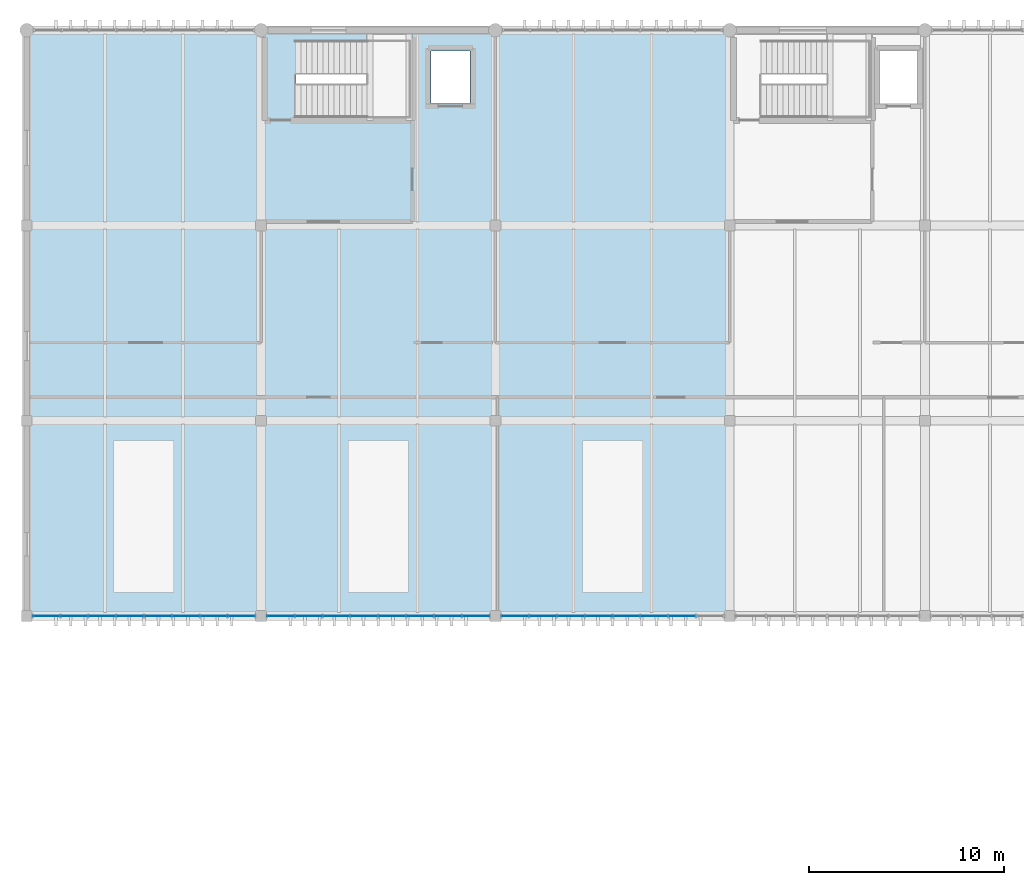
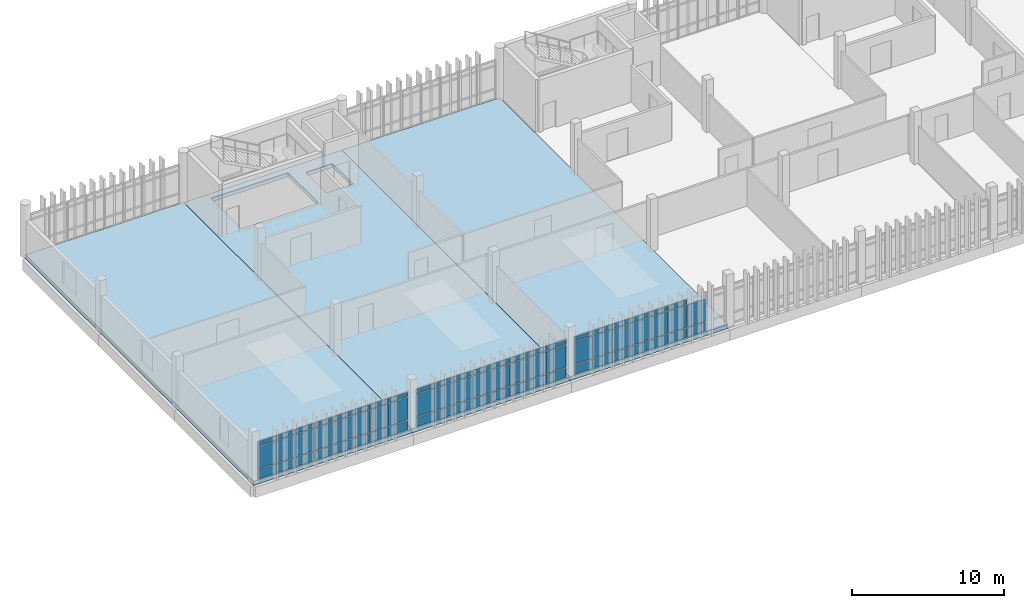
# One storey, part 22 of 29: 68 plates, 3 slabs, 3 elements without a shape of their own.
"""IFC4 building model written with IfcOpenShell, lengths in metres."""

from ifc_helpers import new_model, si_unit, direction, frame, origin, origin_2d, place, context, subcontext, project, spatial, polyline, rectangle, outline, extrude, material, layer, layer_set, type_object, element, aggregate, save


model = new_model("IFC4")

# Units and contexts
model_context = context("Model", 3, precision=1e-05, world=origin(), true_north=direction((0.0, 1.0)))
body_context = subcontext(model_context, "Body", "Model", "MODEL_VIEW")
ifc_project = project(units=[si_unit("LENGTHUNIT", "METRE"), si_unit("AREAUNIT", "SQUARE_METRE"), si_unit("VOLUMEUNIT", "CUBIC_METRE"), si_unit("PLANEANGLEUNIT", "RADIAN"), si_unit("MASSUNIT", "GRAM", prefix="KILO")], contexts=[model_context])

# Site, building, storey
site_placement = place(None, origin())
site = spatial("IfcSite", under=ifc_project, at=site_placement, CompositionType="ELEMENT")
building_placement = place(site_placement, origin())
building = spatial("IfcBuilding", under=site, at=building_placement, Name="Mersad Railyard Sports Hall", CompositionType="ELEMENT")
storey_placement = place(building_placement, frame((0.0, 0.0, 17.39990234375)))
storey = spatial("IfcBuildingStorey", under=building, at=storey_placement, Name="L04", CompositionType="ELEMENT", Elevation=17.39990234375)

# Curtain wall, plates
ifc_material_1 = material(Name="Aluminium 6063-T6", Category="aluminium")
ifc_layer_1 = layer(ifc_material_1, 0.159912109375)
ifc_layer_set_1 = layer_set([ifc_layer_1], Name="Aluminium 6063-T6")
curtain_wall_type = type_object("IfcCurtainWallType", Name="ARC-CW-CW64", PredefinedType="USERDEFINED", material=ifc_layer_set_1)
curtain_wall_1_placement = place(storey_placement, origin())
curtain_wall_1 = element("IfcCurtainWall", 1, at=curtain_wall_1_placement, inside=storey, type_object=curtain_wall_type, Name="Curtain wall CW64-0165", ObjectType="CURTAIN WALL", PredefinedType="USERDEFINED")
ifc_material_2 = material(Name="Solar-control glass", Category="glass")
ifc_layer_2 = layer(ifc_material_2, 0.028076171875)
ifc_layer_set_2 = layer_set([ifc_layer_2], Name="Solar-control glass")
plate_type = type_object("IfcPlateType", Name="ARC-CW-PNL01", PredefinedType="CURTAIN_PANEL", material=ifc_layer_set_2)
plate_1_placement = place(storey_placement, frame((65.991943359375, 85.0, 0.0849609375), z_axis=(0.0, 0.0, 1.0), x_axis=(-1.0, 0.0, 0.0)))
plate_1 = element("IfcPlate", 2, at=plate_1_placement, type_object=plate_type, Name="CW64 Glazed panel 1-1", PredefinedType="CURTAIN_PANEL", context=body_context, shape_type="SweptSolid", body=[
    extrude(rectangle(XDim=1.38232421875, YDim=0.028076171875, at=origin_2d()), origin(), (0.0, 0.0, 1.0), 0.719970703125),
])
plate_2_placement = place(storey_placement, frame((65.991943359375, 85.0, 0.89501953125), z_axis=(0.0, 0.0, 1.0), x_axis=(-1.0, 0.0, 0.0)))
plate_2 = element("IfcPlate", 3, at=plate_2_placement, type_object=plate_type, Name="CW64 Glazed panel 1-2", PredefinedType="CURTAIN_PANEL", context=body_context, shape_type="SweptSolid", body=[
    extrude(rectangle(XDim=1.38232421875, YDim=0.028076171875, at=origin_2d()), origin(), (0.0, 0.0, 1.0), 1.760009765625),
])
plate_3_placement = place(storey_placement, frame((65.991943359375, 85.0, 2.7451171875), z_axis=(0.0, 0.0, 1.0), x_axis=(-1.0, 0.0, 0.0)))
plate_3 = element("IfcPlate", 4, at=plate_3_placement, type_object=plate_type, Name="CW64 Glazed panel 1-3", PredefinedType="CURTAIN_PANEL", context=body_context, shape_type="SweptSolid", body=[
    extrude(rectangle(XDim=1.38232421875, YDim=0.028076171875, at=origin_2d()), origin(), (0.0, 0.0, 1.0), 0.35009765625),
])
plate_4_placement = place(storey_placement, frame((64.565673828125, 85.0, 0.0849609375), z_axis=(0.0, 0.0, 1.0), x_axis=(-1.0, 0.0, 0.0)))
plate_4 = element("IfcPlate", 5, at=plate_4_placement, type_object=plate_type, Name="CW64 Glazed panel 2-1", PredefinedType="CURTAIN_PANEL", context=body_context, shape_type="SweptSolid", body=[
    extrude(rectangle(XDim=1.38232421875, YDim=0.028076171875, at=origin_2d()), origin(), (0.0, 0.0, 1.0), 0.719970703125),
])
plate_5_placement = place(storey_placement, frame((64.565673828125, 85.0, 0.89501953125), z_axis=(0.0, 0.0, 1.0), x_axis=(-1.0, 0.0, 0.0)))
plate_5 = element("IfcPlate", 6, at=plate_5_placement, type_object=plate_type, Name="CW64 Glazed panel 2-2", PredefinedType="CURTAIN_PANEL", context=body_context, shape_type="SweptSolid", body=[
    extrude(rectangle(XDim=1.38232421875, YDim=0.028076171875, at=origin_2d()), origin(), (0.0, 0.0, 1.0), 1.760009765625),
])
plate_6_placement = place(storey_placement, frame((64.565673828125, 85.0, 2.7451171875), z_axis=(0.0, 0.0, 1.0), x_axis=(-1.0, 0.0, 0.0)))
plate_6 = element("IfcPlate", 7, at=plate_6_placement, type_object=plate_type, Name="CW64 Glazed panel 2-3", PredefinedType="CURTAIN_PANEL", context=body_context, shape_type="SweptSolid", body=[
    extrude(rectangle(XDim=1.38232421875, YDim=0.028076171875, at=origin_2d()), origin(), (0.0, 0.0, 1.0), 0.35009765625),
])
plate_7_placement = place(storey_placement, frame((63.139404296875, 85.0, 0.0849609375), z_axis=(0.0, 0.0, 1.0), x_axis=(-1.0, 0.0, 0.0)))
plate_7 = element("IfcPlate", 8, at=plate_7_placement, type_object=plate_type, Name="CW64 Glazed panel 3-1", PredefinedType="CURTAIN_PANEL", context=body_context, shape_type="SweptSolid", body=[
    extrude(rectangle(XDim=1.38232421875, YDim=0.028076171875, at=origin_2d()), origin(), (0.0, 0.0, 1.0), 0.719970703125),
])
plate_8_placement = place(storey_placement, frame((63.139404296875, 85.0, 0.89501953125), z_axis=(0.0, 0.0, 1.0), x_axis=(-1.0, 0.0, 0.0)))
plate_8 = element("IfcPlate", 9, at=plate_8_placement, type_object=plate_type, Name="CW64 Glazed panel 3-2", PredefinedType="CURTAIN_PANEL", context=body_context, shape_type="SweptSolid", body=[
    extrude(rectangle(XDim=1.38232421875, YDim=0.028076171875, at=origin_2d()), origin(), (0.0, 0.0, 1.0), 1.760009765625),
])
plate_9_placement = place(storey_placement, frame((63.139404296875, 85.0, 2.7451171875), z_axis=(0.0, 0.0, 1.0), x_axis=(-1.0, 0.0, 0.0)))
plate_9 = element("IfcPlate", 10, at=plate_9_placement, type_object=plate_type, Name="CW64 Glazed panel 3-3", PredefinedType="CURTAIN_PANEL", context=body_context, shape_type="SweptSolid", body=[
    extrude(rectangle(XDim=1.38232421875, YDim=0.028076171875, at=origin_2d()), origin(), (0.0, 0.0, 1.0), 0.35009765625),
])
plate_10_placement = place(storey_placement, frame((61.713134765625, 85.0, 0.0849609375), z_axis=(0.0, 0.0, 1.0), x_axis=(-1.0, 0.0, 0.0)))
plate_10 = element("IfcPlate", 11, at=plate_10_placement, type_object=plate_type, Name="CW64 Glazed panel 4-1", PredefinedType="CURTAIN_PANEL", context=body_context, shape_type="SweptSolid", body=[
    extrude(rectangle(XDim=1.38232421875, YDim=0.028076171875, at=origin_2d()), origin(), (0.0, 0.0, 1.0), 0.719970703125),
])
plate_11_placement = place(storey_placement, frame((61.713134765625, 85.0, 0.89501953125), z_axis=(0.0, 0.0, 1.0), x_axis=(-1.0, 0.0, 0.0)))
plate_11 = element("IfcPlate", 12, at=plate_11_placement, type_object=plate_type, Name="CW64 Glazed panel 4-2", PredefinedType="CURTAIN_PANEL", context=body_context, shape_type="SweptSolid", body=[
    extrude(rectangle(XDim=1.38232421875, YDim=0.028076171875, at=origin_2d()), origin(), (0.0, 0.0, 1.0), 1.760009765625),
])
plate_12_placement = place(storey_placement, frame((61.713134765625, 85.0, 2.7451171875), z_axis=(0.0, 0.0, 1.0), x_axis=(-1.0, 0.0, 0.0)))
plate_12 = element("IfcPlate", 13, at=plate_12_placement, type_object=plate_type, Name="CW64 Glazed panel 4-3", PredefinedType="CURTAIN_PANEL", context=body_context, shape_type="SweptSolid", body=[
    extrude(rectangle(XDim=1.38232421875, YDim=0.028076171875, at=origin_2d()), origin(), (0.0, 0.0, 1.0), 0.35009765625),
])
plate_13_placement = place(storey_placement, frame((60.286865234375, 85.0, 0.0849609375), z_axis=(0.0, 0.0, 1.0), x_axis=(-1.0, 0.0, 0.0)))
plate_13 = element("IfcPlate", 14, at=plate_13_placement, type_object=plate_type, Name="CW64 Glazed panel 5-1", PredefinedType="CURTAIN_PANEL", context=body_context, shape_type="SweptSolid", body=[
    extrude(rectangle(XDim=1.38232421875, YDim=0.028076171875, at=origin_2d()), origin(), (0.0, 0.0, 1.0), 0.719970703125),
])
plate_14_placement = place(storey_placement, frame((60.286865234375, 85.0, 0.89501953125), z_axis=(0.0, 0.0, 1.0), x_axis=(-1.0, 0.0, 0.0)))
plate_14 = element("IfcPlate", 15, at=plate_14_placement, type_object=plate_type, Name="CW64 Glazed panel 5-2", PredefinedType="CURTAIN_PANEL", context=body_context, shape_type="SweptSolid", body=[
    extrude(rectangle(XDim=1.38232421875, YDim=0.028076171875, at=origin_2d()), origin(), (0.0, 0.0, 1.0), 1.760009765625),
])
plate_15_placement = place(storey_placement, frame((60.286865234375, 85.0, 2.7451171875), z_axis=(0.0, 0.0, 1.0), x_axis=(-1.0, 0.0, 0.0)))
plate_15 = element("IfcPlate", 16, at=plate_15_placement, type_object=plate_type, Name="CW64 Glazed panel 5-3", PredefinedType="CURTAIN_PANEL", context=body_context, shape_type="SweptSolid", body=[
    extrude(rectangle(XDim=1.38232421875, YDim=0.028076171875, at=origin_2d()), origin(), (0.0, 0.0, 1.0), 0.35009765625),
])
plate_16_placement = place(storey_placement, frame((58.860595703125, 85.0, 0.0849609375), z_axis=(0.0, 0.0, 1.0), x_axis=(-1.0, 0.0, 0.0)))
plate_16 = element("IfcPlate", 17, at=plate_16_placement, type_object=plate_type, Name="CW64 Glazed panel 6-1", PredefinedType="CURTAIN_PANEL", context=body_context, shape_type="SweptSolid", body=[
    extrude(rectangle(XDim=1.38232421875, YDim=0.028076171875, at=origin_2d()), origin(), (0.0, 0.0, 1.0), 0.719970703125),
])
plate_17_placement = place(storey_placement, frame((58.860595703125, 85.0, 0.89501953125), z_axis=(0.0, 0.0, 1.0), x_axis=(-1.0, 0.0, 0.0)))
plate_17 = element("IfcPlate", 18, at=plate_17_placement, type_object=plate_type, Name="CW64 Glazed panel 6-2", PredefinedType="CURTAIN_PANEL", context=body_context, shape_type="SweptSolid", body=[
    extrude(rectangle(XDim=1.38232421875, YDim=0.028076171875, at=origin_2d()), origin(), (0.0, 0.0, 1.0), 1.760009765625),
])
plate_18_placement = place(storey_placement, frame((58.860595703125, 85.0, 2.7451171875), z_axis=(0.0, 0.0, 1.0), x_axis=(-1.0, 0.0, 0.0)))
plate_18 = element("IfcPlate", 19, at=plate_18_placement, type_object=plate_type, Name="CW64 Glazed panel 6-3", PredefinedType="CURTAIN_PANEL", context=body_context, shape_type="SweptSolid", body=[
    extrude(rectangle(XDim=1.38232421875, YDim=0.028076171875, at=origin_2d()), origin(), (0.0, 0.0, 1.0), 0.35009765625),
])
plate_19_placement = place(storey_placement, frame((57.434326171875, 85.0, 0.0849609375), z_axis=(0.0, 0.0, 1.0), x_axis=(-1.0, 0.0, 0.0)))
plate_19 = element("IfcPlate", 20, at=plate_19_placement, type_object=plate_type, Name="CW64 Glazed panel 7-1", PredefinedType="CURTAIN_PANEL", context=body_context, shape_type="SweptSolid", body=[
    extrude(rectangle(XDim=1.38232421875, YDim=0.028076171875, at=origin_2d()), origin(), (0.0, 0.0, 1.0), 0.719970703125),
])
plate_20_placement = place(storey_placement, frame((57.434326171875, 85.0, 0.89501953125), z_axis=(0.0, 0.0, 1.0), x_axis=(-1.0, 0.0, 0.0)))
plate_20 = element("IfcPlate", 21, at=plate_20_placement, type_object=plate_type, Name="CW64 Glazed panel 7-2", PredefinedType="CURTAIN_PANEL", context=body_context, shape_type="SweptSolid", body=[
    extrude(rectangle(XDim=1.38232421875, YDim=0.028076171875, at=origin_2d()), origin(), (0.0, 0.0, 1.0), 1.760009765625),
])
plate_21_placement = place(storey_placement, frame((57.434326171875, 85.0, 2.7451171875), z_axis=(0.0, 0.0, 1.0), x_axis=(-1.0, 0.0, 0.0)))
plate_21 = element("IfcPlate", 22, at=plate_21_placement, type_object=plate_type, Name="CW64 Glazed panel 7-3", PredefinedType="CURTAIN_PANEL", context=body_context, shape_type="SweptSolid", body=[
    extrude(rectangle(XDim=1.38232421875, YDim=0.028076171875, at=origin_2d()), origin(), (0.0, 0.0, 1.0), 0.35009765625),
])
plate_22_placement = place(storey_placement, frame((56.008056640625, 85.0, 0.0849609375), z_axis=(0.0, 0.0, 1.0), x_axis=(-1.0, 0.0, 0.0)))
plate_22 = element("IfcPlate", 23, at=plate_22_placement, type_object=plate_type, Name="CW64 Glazed panel 8-1", PredefinedType="CURTAIN_PANEL", context=body_context, shape_type="SweptSolid", body=[
    extrude(rectangle(XDim=1.38232421875, YDim=0.028076171875, at=origin_2d()), origin(), (0.0, 0.0, 1.0), 0.719970703125),
])
plate_23_placement = place(storey_placement, frame((56.008056640625, 85.0, 0.89501953125), z_axis=(0.0, 0.0, 1.0), x_axis=(-1.0, 0.0, 0.0)))
plate_23 = element("IfcPlate", 24, at=plate_23_placement, type_object=plate_type, Name="CW64 Glazed panel 8-2", PredefinedType="CURTAIN_PANEL", context=body_context, shape_type="SweptSolid", body=[
    extrude(rectangle(XDim=1.38232421875, YDim=0.028076171875, at=origin_2d()), origin(), (0.0, 0.0, 1.0), 1.760009765625),
])
plate_24_placement = place(storey_placement, frame((56.008056640625, 85.0, 2.7451171875), z_axis=(0.0, 0.0, 1.0), x_axis=(-1.0, 0.0, 0.0)))
plate_24 = element("IfcPlate", 25, at=plate_24_placement, type_object=plate_type, Name="CW64 Glazed panel 8-3", PredefinedType="CURTAIN_PANEL", context=body_context, shape_type="SweptSolid", body=[
    extrude(rectangle(XDim=1.38232421875, YDim=0.028076171875, at=origin_2d()), origin(), (0.0, 0.0, 1.0), 0.35009765625),
])
aggregate(curtain_wall_1, [plate_1, plate_2, plate_3, plate_4, plate_5, plate_6, plate_7, plate_8, plate_9, plate_10, plate_11, plate_12, plate_13, plate_14, plate_15, plate_16, plate_17, plate_18, plate_19, plate_20, plate_21, plate_22, plate_23, plate_24])

curtain_wall_2_placement = place(storey_placement, origin())
curtain_wall_2 = element("IfcCurtainWall", 26, at=curtain_wall_2_placement, inside=storey, type_object=curtain_wall_type, Name="Curtain wall CW64-0166", ObjectType="CURTAIN WALL", PredefinedType="USERDEFINED")
plate_25_placement = place(storey_placement, frame((77.991943359375, 85.0, 0.0849609375), z_axis=(0.0, 0.0, 1.0), x_axis=(-1.0, 0.0, 0.0)))
plate_25 = element("IfcPlate", 27, at=plate_25_placement, type_object=plate_type, Name="CW64 Glazed panel 1-1", PredefinedType="CURTAIN_PANEL", context=body_context, shape_type="SweptSolid", body=[
    extrude(rectangle(XDim=1.38232421875, YDim=0.028076171875, at=origin_2d()), origin(), (0.0, 0.0, 1.0), 0.719970703125),
])
plate_26_placement = place(storey_placement, frame((77.991943359375, 85.0, 0.89501953125), z_axis=(0.0, 0.0, 1.0), x_axis=(-1.0, 0.0, 0.0)))
plate_26 = element("IfcPlate", 28, at=plate_26_placement, type_object=plate_type, Name="CW64 Glazed panel 1-2", PredefinedType="CURTAIN_PANEL", context=body_context, shape_type="SweptSolid", body=[
    extrude(rectangle(XDim=1.38232421875, YDim=0.028076171875, at=origin_2d()), origin(), (0.0, 0.0, 1.0), 1.760009765625),
])
plate_27_placement = place(storey_placement, frame((77.991943359375, 85.0, 2.7451171875), z_axis=(0.0, 0.0, 1.0), x_axis=(-1.0, 0.0, 0.0)))
plate_27 = element("IfcPlate", 29, at=plate_27_placement, type_object=plate_type, Name="CW64 Glazed panel 1-3", PredefinedType="CURTAIN_PANEL", context=body_context, shape_type="SweptSolid", body=[
    extrude(rectangle(XDim=1.38232421875, YDim=0.028076171875, at=origin_2d()), origin(), (0.0, 0.0, 1.0), 0.35009765625),
])
plate_28_placement = place(storey_placement, frame((76.565673828125, 85.0, 0.0849609375), z_axis=(0.0, 0.0, 1.0), x_axis=(-1.0, 0.0, 0.0)))
plate_28 = element("IfcPlate", 30, at=plate_28_placement, type_object=plate_type, Name="CW64 Glazed panel 2-1", PredefinedType="CURTAIN_PANEL", context=body_context, shape_type="SweptSolid", body=[
    extrude(rectangle(XDim=1.38232421875, YDim=0.028076171875, at=origin_2d()), origin(), (0.0, 0.0, 1.0), 0.719970703125),
])
plate_29_placement = place(storey_placement, frame((76.565673828125, 85.0, 0.89501953125), z_axis=(0.0, 0.0, 1.0), x_axis=(-1.0, 0.0, 0.0)))
plate_29 = element("IfcPlate", 31, at=plate_29_placement, type_object=plate_type, Name="CW64 Glazed panel 2-2", PredefinedType="CURTAIN_PANEL", context=body_context, shape_type="SweptSolid", body=[
    extrude(rectangle(XDim=1.38232421875, YDim=0.028076171875, at=origin_2d()), origin(), (0.0, 0.0, 1.0), 1.760009765625),
])
plate_30_placement = place(storey_placement, frame((76.565673828125, 85.0, 2.7451171875), z_axis=(0.0, 0.0, 1.0), x_axis=(-1.0, 0.0, 0.0)))
plate_30 = element("IfcPlate", 32, at=plate_30_placement, type_object=plate_type, Name="CW64 Glazed panel 2-3", PredefinedType="CURTAIN_PANEL", context=body_context, shape_type="SweptSolid", body=[
    extrude(rectangle(XDim=1.38232421875, YDim=0.028076171875, at=origin_2d()), origin(), (0.0, 0.0, 1.0), 0.35009765625),
])
plate_31_placement = place(storey_placement, frame((75.139404296875, 85.0, 0.0849609375), z_axis=(0.0, 0.0, 1.0), x_axis=(-1.0, 0.0, 0.0)))
plate_31 = element("IfcPlate", 33, at=plate_31_placement, type_object=plate_type, Name="CW64 Glazed panel 3-1", PredefinedType="CURTAIN_PANEL", context=body_context, shape_type="SweptSolid", body=[
    extrude(rectangle(XDim=1.38232421875, YDim=0.028076171875, at=origin_2d()), origin(), (0.0, 0.0, 1.0), 0.719970703125),
])
plate_32_placement = place(storey_placement, frame((75.139404296875, 85.0, 0.89501953125), z_axis=(0.0, 0.0, 1.0), x_axis=(-1.0, 0.0, 0.0)))
plate_32 = element("IfcPlate", 34, at=plate_32_placement, type_object=plate_type, Name="CW64 Glazed panel 3-2", PredefinedType="CURTAIN_PANEL", context=body_context, shape_type="SweptSolid", body=[
    extrude(rectangle(XDim=1.38232421875, YDim=0.028076171875, at=origin_2d()), origin(), (0.0, 0.0, 1.0), 1.760009765625),
])
plate_33_placement = place(storey_placement, frame((75.139404296875, 85.0, 2.7451171875), z_axis=(0.0, 0.0, 1.0), x_axis=(-1.0, 0.0, 0.0)))
plate_33 = element("IfcPlate", 35, at=plate_33_placement, type_object=plate_type, Name="CW64 Glazed panel 3-3", PredefinedType="CURTAIN_PANEL", context=body_context, shape_type="SweptSolid", body=[
    extrude(rectangle(XDim=1.38232421875, YDim=0.028076171875, at=origin_2d()), origin(), (0.0, 0.0, 1.0), 0.35009765625),
])
plate_34_placement = place(storey_placement, frame((73.713134765625, 85.0, 0.0849609375), z_axis=(0.0, 0.0, 1.0), x_axis=(-1.0, 0.0, 0.0)))
plate_34 = element("IfcPlate", 36, at=plate_34_placement, type_object=plate_type, Name="CW64 Glazed panel 4-1", PredefinedType="CURTAIN_PANEL", context=body_context, shape_type="SweptSolid", body=[
    extrude(rectangle(XDim=1.38232421875, YDim=0.028076171875, at=origin_2d()), origin(), (0.0, 0.0, 1.0), 0.719970703125),
])
plate_35_placement = place(storey_placement, frame((73.713134765625, 85.0, 0.89501953125), z_axis=(0.0, 0.0, 1.0), x_axis=(-1.0, 0.0, 0.0)))
plate_35 = element("IfcPlate", 37, at=plate_35_placement, type_object=plate_type, Name="CW64 Glazed panel 4-2", PredefinedType="CURTAIN_PANEL", context=body_context, shape_type="SweptSolid", body=[
    extrude(rectangle(XDim=1.38232421875, YDim=0.028076171875, at=origin_2d()), origin(), (0.0, 0.0, 1.0), 1.760009765625),
])
plate_36_placement = place(storey_placement, frame((73.713134765625, 85.0, 2.7451171875), z_axis=(0.0, 0.0, 1.0), x_axis=(-1.0, 0.0, 0.0)))
plate_36 = element("IfcPlate", 38, at=plate_36_placement, type_object=plate_type, Name="CW64 Glazed panel 4-3", PredefinedType="CURTAIN_PANEL", context=body_context, shape_type="SweptSolid", body=[
    extrude(rectangle(XDim=1.38232421875, YDim=0.028076171875, at=origin_2d()), origin(), (0.0, 0.0, 1.0), 0.35009765625),
])
plate_37_placement = place(storey_placement, frame((72.286865234375, 85.0, 0.0849609375), z_axis=(0.0, 0.0, 1.0), x_axis=(-1.0, 0.0, 0.0)))
plate_37 = element("IfcPlate", 39, at=plate_37_placement, type_object=plate_type, Name="CW64 Glazed panel 5-1", PredefinedType="CURTAIN_PANEL", context=body_context, shape_type="SweptSolid", body=[
    extrude(rectangle(XDim=1.38232421875, YDim=0.028076171875, at=origin_2d()), origin(), (0.0, 0.0, 1.0), 0.719970703125),
])
plate_38_placement = place(storey_placement, frame((72.286865234375, 85.0, 0.89501953125), z_axis=(0.0, 0.0, 1.0), x_axis=(-1.0, 0.0, 0.0)))
plate_38 = element("IfcPlate", 40, at=plate_38_placement, type_object=plate_type, Name="CW64 Glazed panel 5-2", PredefinedType="CURTAIN_PANEL", context=body_context, shape_type="SweptSolid", body=[
    extrude(rectangle(XDim=1.38232421875, YDim=0.028076171875, at=origin_2d()), origin(), (0.0, 0.0, 1.0), 1.760009765625),
])
plate_39_placement = place(storey_placement, frame((72.286865234375, 85.0, 2.7451171875), z_axis=(0.0, 0.0, 1.0), x_axis=(-1.0, 0.0, 0.0)))
plate_39 = element("IfcPlate", 41, at=plate_39_placement, type_object=plate_type, Name="CW64 Glazed panel 5-3", PredefinedType="CURTAIN_PANEL", context=body_context, shape_type="SweptSolid", body=[
    extrude(rectangle(XDim=1.38232421875, YDim=0.028076171875, at=origin_2d()), origin(), (0.0, 0.0, 1.0), 0.35009765625),
])
plate_40_placement = place(storey_placement, frame((70.860595703125, 85.0, 0.0849609375), z_axis=(0.0, 0.0, 1.0), x_axis=(-1.0, 0.0, 0.0)))
plate_40 = element("IfcPlate", 42, at=plate_40_placement, type_object=plate_type, Name="CW64 Glazed panel 6-1", PredefinedType="CURTAIN_PANEL", context=body_context, shape_type="SweptSolid", body=[
    extrude(rectangle(XDim=1.38232421875, YDim=0.028076171875, at=origin_2d()), origin(), (0.0, 0.0, 1.0), 0.719970703125),
])
plate_41_placement = place(storey_placement, frame((70.860595703125, 85.0, 0.89501953125), z_axis=(0.0, 0.0, 1.0), x_axis=(-1.0, 0.0, 0.0)))
plate_41 = element("IfcPlate", 43, at=plate_41_placement, type_object=plate_type, Name="CW64 Glazed panel 6-2", PredefinedType="CURTAIN_PANEL", context=body_context, shape_type="SweptSolid", body=[
    extrude(rectangle(XDim=1.38232421875, YDim=0.028076171875, at=origin_2d()), origin(), (0.0, 0.0, 1.0), 1.760009765625),
])
plate_42_placement = place(storey_placement, frame((70.860595703125, 85.0, 2.7451171875), z_axis=(0.0, 0.0, 1.0), x_axis=(-1.0, 0.0, 0.0)))
plate_42 = element("IfcPlate", 44, at=plate_42_placement, type_object=plate_type, Name="CW64 Glazed panel 6-3", PredefinedType="CURTAIN_PANEL", context=body_context, shape_type="SweptSolid", body=[
    extrude(rectangle(XDim=1.38232421875, YDim=0.028076171875, at=origin_2d()), origin(), (0.0, 0.0, 1.0), 0.35009765625),
])
plate_43_placement = place(storey_placement, frame((69.434326171875, 85.0, 0.0849609375), z_axis=(0.0, 0.0, 1.0), x_axis=(-1.0, 0.0, 0.0)))
plate_43 = element("IfcPlate", 45, at=plate_43_placement, type_object=plate_type, Name="CW64 Glazed panel 7-1", PredefinedType="CURTAIN_PANEL", context=body_context, shape_type="SweptSolid", body=[
    extrude(rectangle(XDim=1.38232421875, YDim=0.028076171875, at=origin_2d()), origin(), (0.0, 0.0, 1.0), 0.719970703125),
])
plate_44_placement = place(storey_placement, frame((69.434326171875, 85.0, 0.89501953125), z_axis=(0.0, 0.0, 1.0), x_axis=(-1.0, 0.0, 0.0)))
plate_44 = element("IfcPlate", 46, at=plate_44_placement, type_object=plate_type, Name="CW64 Glazed panel 7-2", PredefinedType="CURTAIN_PANEL", context=body_context, shape_type="SweptSolid", body=[
    extrude(rectangle(XDim=1.38232421875, YDim=0.028076171875, at=origin_2d()), origin(), (0.0, 0.0, 1.0), 1.760009765625),
])
plate_45_placement = place(storey_placement, frame((69.434326171875, 85.0, 2.7451171875), z_axis=(0.0, 0.0, 1.0), x_axis=(-1.0, 0.0, 0.0)))
plate_45 = element("IfcPlate", 47, at=plate_45_placement, type_object=plate_type, Name="CW64 Glazed panel 7-3", PredefinedType="CURTAIN_PANEL", context=body_context, shape_type="SweptSolid", body=[
    extrude(rectangle(XDim=1.38232421875, YDim=0.028076171875, at=origin_2d()), origin(), (0.0, 0.0, 1.0), 0.35009765625),
])
plate_46_placement = place(storey_placement, frame((68.008056640625, 85.0, 0.0849609375), z_axis=(0.0, 0.0, 1.0), x_axis=(-1.0, 0.0, 0.0)))
plate_46 = element("IfcPlate", 48, at=plate_46_placement, type_object=plate_type, Name="CW64 Glazed panel 8-1", PredefinedType="CURTAIN_PANEL", context=body_context, shape_type="SweptSolid", body=[
    extrude(rectangle(XDim=1.38232421875, YDim=0.028076171875, at=origin_2d()), origin(), (0.0, 0.0, 1.0), 0.719970703125),
])
plate_47_placement = place(storey_placement, frame((68.008056640625, 85.0, 0.89501953125), z_axis=(0.0, 0.0, 1.0), x_axis=(-1.0, 0.0, 0.0)))
plate_47 = element("IfcPlate", 49, at=plate_47_placement, type_object=plate_type, Name="CW64 Glazed panel 8-2", PredefinedType="CURTAIN_PANEL", context=body_context, shape_type="SweptSolid", body=[
    extrude(rectangle(XDim=1.38232421875, YDim=0.028076171875, at=origin_2d()), origin(), (0.0, 0.0, 1.0), 1.760009765625),
])
plate_48_placement = place(storey_placement, frame((68.008056640625, 85.0, 2.7451171875), z_axis=(0.0, 0.0, 1.0), x_axis=(-1.0, 0.0, 0.0)))
plate_48 = element("IfcPlate", 50, at=plate_48_placement, type_object=plate_type, Name="CW64 Glazed panel 8-3", PredefinedType="CURTAIN_PANEL", context=body_context, shape_type="SweptSolid", body=[
    extrude(rectangle(XDim=1.38232421875, YDim=0.028076171875, at=origin_2d()), origin(), (0.0, 0.0, 1.0), 0.35009765625),
])
aggregate(curtain_wall_2, [plate_25, plate_26, plate_27, plate_28, plate_29, plate_30, plate_31, plate_32, plate_33, plate_34, plate_35, plate_36, plate_37, plate_38, plate_39, plate_40, plate_41, plate_42, plate_43, plate_44, plate_45, plate_46, plate_47, plate_48])

curtain_wall_3_placement = place(storey_placement, origin())
curtain_wall_3 = element("IfcCurtainWall", 51, at=curtain_wall_3_placement, inside=storey, type_object=curtain_wall_type, Name="Curtain wall CW64-0167", ObjectType="CURTAIN WALL", PredefinedType="USERDEFINED")
plate_49_placement = place(storey_placement, frame((88.565673828125, 85.0, 0.0849609375), z_axis=(0.0, 0.0, 1.0), x_axis=(-1.0, 0.0, 0.0)))
plate_49 = element("IfcPlate", 52, at=plate_49_placement, type_object=plate_type, Name="CW64 Glazed panel 2-1", PredefinedType="CURTAIN_PANEL", context=body_context, shape_type="SweptSolid", body=[
    extrude(rectangle(XDim=1.38232421875, YDim=0.028076171875, at=origin_2d()), origin(), (0.0, 0.0, 1.0), 0.719970703125),
])
plate_50_placement = place(storey_placement, frame((88.565673828125, 85.0, 0.89501953125), z_axis=(0.0, 0.0, 1.0), x_axis=(-1.0, 0.0, 0.0)))
plate_50 = element("IfcPlate", 53, at=plate_50_placement, type_object=plate_type, Name="CW64 Glazed panel 2-2", PredefinedType="CURTAIN_PANEL", context=body_context, shape_type="SweptSolid", body=[
    extrude(rectangle(XDim=1.38232421875, YDim=0.028076171875, at=origin_2d()), origin(), (0.0, 0.0, 1.0), 1.760009765625),
])
plate_51_placement = place(storey_placement, frame((87.139404296875, 85.0, 0.0849609375), z_axis=(0.0, 0.0, 1.0), x_axis=(-1.0, 0.0, 0.0)))
plate_51 = element("IfcPlate", 54, at=plate_51_placement, type_object=plate_type, Name="CW64 Glazed panel 3-1", PredefinedType="CURTAIN_PANEL", context=body_context, shape_type="SweptSolid", body=[
    extrude(rectangle(XDim=1.38232421875, YDim=0.028076171875, at=origin_2d()), origin(), (0.0, 0.0, 1.0), 0.719970703125),
])
plate_52_placement = place(storey_placement, frame((87.139404296875, 85.0, 0.89501953125), z_axis=(0.0, 0.0, 1.0), x_axis=(-1.0, 0.0, 0.0)))
plate_52 = element("IfcPlate", 55, at=plate_52_placement, type_object=plate_type, Name="CW64 Glazed panel 3-2", PredefinedType="CURTAIN_PANEL", context=body_context, shape_type="SweptSolid", body=[
    extrude(rectangle(XDim=1.38232421875, YDim=0.028076171875, at=origin_2d()), origin(), (0.0, 0.0, 1.0), 1.760009765625),
])
plate_53_placement = place(storey_placement, frame((87.139404296875, 85.0, 2.7451171875), z_axis=(0.0, 0.0, 1.0), x_axis=(-1.0, 0.0, 0.0)))
plate_53 = element("IfcPlate", 56, at=plate_53_placement, type_object=plate_type, Name="CW64 Glazed panel 3-3", PredefinedType="CURTAIN_PANEL", context=body_context, shape_type="SweptSolid", body=[
    extrude(rectangle(XDim=1.38232421875, YDim=0.028076171875, at=origin_2d()), origin(), (0.0, 0.0, 1.0), 0.35009765625),
])
plate_54_placement = place(storey_placement, frame((85.713134765625, 85.0, 0.0849609375), z_axis=(0.0, 0.0, 1.0), x_axis=(-1.0, 0.0, 0.0)))
plate_54 = element("IfcPlate", 57, at=plate_54_placement, type_object=plate_type, Name="CW64 Glazed panel 4-1", PredefinedType="CURTAIN_PANEL", context=body_context, shape_type="SweptSolid", body=[
    extrude(rectangle(XDim=1.38232421875, YDim=0.028076171875, at=origin_2d()), origin(), (0.0, 0.0, 1.0), 0.719970703125),
])
plate_55_placement = place(storey_placement, frame((85.713134765625, 85.0, 0.89501953125), z_axis=(0.0, 0.0, 1.0), x_axis=(-1.0, 0.0, 0.0)))
plate_55 = element("IfcPlate", 58, at=plate_55_placement, type_object=plate_type, Name="CW64 Glazed panel 4-2", PredefinedType="CURTAIN_PANEL", context=body_context, shape_type="SweptSolid", body=[
    extrude(rectangle(XDim=1.38232421875, YDim=0.028076171875, at=origin_2d()), origin(), (0.0, 0.0, 1.0), 1.760009765625),
])
plate_56_placement = place(storey_placement, frame((85.713134765625, 85.0, 2.7451171875), z_axis=(0.0, 0.0, 1.0), x_axis=(-1.0, 0.0, 0.0)))
plate_56 = element("IfcPlate", 59, at=plate_56_placement, type_object=plate_type, Name="CW64 Glazed panel 4-3", PredefinedType="CURTAIN_PANEL", context=body_context, shape_type="SweptSolid", body=[
    extrude(rectangle(XDim=1.38232421875, YDim=0.028076171875, at=origin_2d()), origin(), (0.0, 0.0, 1.0), 0.35009765625),
])
plate_57_placement = place(storey_placement, frame((84.286865234375, 85.0, 0.0849609375), z_axis=(0.0, 0.0, 1.0), x_axis=(-1.0, 0.0, 0.0)))
plate_57 = element("IfcPlate", 60, at=plate_57_placement, type_object=plate_type, Name="CW64 Glazed panel 5-1", PredefinedType="CURTAIN_PANEL", context=body_context, shape_type="SweptSolid", body=[
    extrude(rectangle(XDim=1.38232421875, YDim=0.028076171875, at=origin_2d()), origin(), (0.0, 0.0, 1.0), 0.719970703125),
])
plate_58_placement = place(storey_placement, frame((84.286865234375, 85.0, 0.89501953125), z_axis=(0.0, 0.0, 1.0), x_axis=(-1.0, 0.0, 0.0)))
plate_58 = element("IfcPlate", 61, at=plate_58_placement, type_object=plate_type, Name="CW64 Glazed panel 5-2", PredefinedType="CURTAIN_PANEL", context=body_context, shape_type="SweptSolid", body=[
    extrude(rectangle(XDim=1.38232421875, YDim=0.028076171875, at=origin_2d()), origin(), (0.0, 0.0, 1.0), 1.760009765625),
])
plate_59_placement = place(storey_placement, frame((84.286865234375, 85.0, 2.7451171875), z_axis=(0.0, 0.0, 1.0), x_axis=(-1.0, 0.0, 0.0)))
plate_59 = element("IfcPlate", 62, at=plate_59_placement, type_object=plate_type, Name="CW64 Glazed panel 5-3", PredefinedType="CURTAIN_PANEL", context=body_context, shape_type="SweptSolid", body=[
    extrude(rectangle(XDim=1.38232421875, YDim=0.028076171875, at=origin_2d()), origin(), (0.0, 0.0, 1.0), 0.35009765625),
])
plate_60_placement = place(storey_placement, frame((82.860595703125, 85.0, 0.0849609375), z_axis=(0.0, 0.0, 1.0), x_axis=(-1.0, 0.0, 0.0)))
plate_60 = element("IfcPlate", 63, at=plate_60_placement, type_object=plate_type, Name="CW64 Glazed panel 6-1", PredefinedType="CURTAIN_PANEL", context=body_context, shape_type="SweptSolid", body=[
    extrude(rectangle(XDim=1.38232421875, YDim=0.028076171875, at=origin_2d()), origin(), (0.0, 0.0, 1.0), 0.719970703125),
])
plate_61_placement = place(storey_placement, frame((82.860595703125, 85.0, 0.89501953125), z_axis=(0.0, 0.0, 1.0), x_axis=(-1.0, 0.0, 0.0)))
plate_61 = element("IfcPlate", 64, at=plate_61_placement, type_object=plate_type, Name="CW64 Glazed panel 6-2", PredefinedType="CURTAIN_PANEL", context=body_context, shape_type="SweptSolid", body=[
    extrude(rectangle(XDim=1.38232421875, YDim=0.028076171875, at=origin_2d()), origin(), (0.0, 0.0, 1.0), 1.760009765625),
])
plate_62_placement = place(storey_placement, frame((82.860595703125, 85.0, 2.7451171875), z_axis=(0.0, 0.0, 1.0), x_axis=(-1.0, 0.0, 0.0)))
plate_62 = element("IfcPlate", 65, at=plate_62_placement, type_object=plate_type, Name="CW64 Glazed panel 6-3", PredefinedType="CURTAIN_PANEL", context=body_context, shape_type="SweptSolid", body=[
    extrude(rectangle(XDim=1.38232421875, YDim=0.028076171875, at=origin_2d()), origin(), (0.0, 0.0, 1.0), 0.35009765625),
])
plate_63_placement = place(storey_placement, frame((81.434326171875, 85.0, 0.0849609375), z_axis=(0.0, 0.0, 1.0), x_axis=(-1.0, 0.0, 0.0)))
plate_63 = element("IfcPlate", 66, at=plate_63_placement, type_object=plate_type, Name="CW64 Glazed panel 7-1", PredefinedType="CURTAIN_PANEL", context=body_context, shape_type="SweptSolid", body=[
    extrude(rectangle(XDim=1.38232421875, YDim=0.028076171875, at=origin_2d()), origin(), (0.0, 0.0, 1.0), 0.719970703125),
])
plate_64_placement = place(storey_placement, frame((81.434326171875, 85.0, 0.89501953125), z_axis=(0.0, 0.0, 1.0), x_axis=(-1.0, 0.0, 0.0)))
plate_64 = element("IfcPlate", 67, at=plate_64_placement, type_object=plate_type, Name="CW64 Glazed panel 7-2", PredefinedType="CURTAIN_PANEL", context=body_context, shape_type="SweptSolid", body=[
    extrude(rectangle(XDim=1.38232421875, YDim=0.028076171875, at=origin_2d()), origin(), (0.0, 0.0, 1.0), 1.760009765625),
])
plate_65_placement = place(storey_placement, frame((81.434326171875, 85.0, 2.7451171875), z_axis=(0.0, 0.0, 1.0), x_axis=(-1.0, 0.0, 0.0)))
plate_65 = element("IfcPlate", 68, at=plate_65_placement, type_object=plate_type, Name="CW64 Glazed panel 7-3", PredefinedType="CURTAIN_PANEL", context=body_context, shape_type="SweptSolid", body=[
    extrude(rectangle(XDim=1.38232421875, YDim=0.028076171875, at=origin_2d()), origin(), (0.0, 0.0, 1.0), 0.35009765625),
])
plate_66_placement = place(storey_placement, frame((80.008056640625, 85.0, 0.0849609375), z_axis=(0.0, 0.0, 1.0), x_axis=(-1.0, 0.0, 0.0)))
plate_66 = element("IfcPlate", 69, at=plate_66_placement, type_object=plate_type, Name="CW64 Glazed panel 8-1", PredefinedType="CURTAIN_PANEL", context=body_context, shape_type="SweptSolid", body=[
    extrude(rectangle(XDim=1.38232421875, YDim=0.028076171875, at=origin_2d()), origin(), (0.0, 0.0, 1.0), 0.719970703125),
])
plate_67_placement = place(storey_placement, frame((80.008056640625, 85.0, 0.89501953125), z_axis=(0.0, 0.0, 1.0), x_axis=(-1.0, 0.0, 0.0)))
plate_67 = element("IfcPlate", 70, at=plate_67_placement, type_object=plate_type, Name="CW64 Glazed panel 8-2", PredefinedType="CURTAIN_PANEL", context=body_context, shape_type="SweptSolid", body=[
    extrude(rectangle(XDim=1.38232421875, YDim=0.028076171875, at=origin_2d()), origin(), (0.0, 0.0, 1.0), 1.760009765625),
])
plate_68_placement = place(storey_placement, frame((80.008056640625, 85.0, 2.7451171875), z_axis=(0.0, 0.0, 1.0), x_axis=(-1.0, 0.0, 0.0)))
plate_68 = element("IfcPlate", 71, at=plate_68_placement, type_object=plate_type, Name="CW64 Glazed panel 8-3", PredefinedType="CURTAIN_PANEL", context=body_context, shape_type="SweptSolid", body=[
    extrude(rectangle(XDim=1.38232421875, YDim=0.028076171875, at=origin_2d()), origin(), (0.0, 0.0, 1.0), 0.35009765625),
])
aggregate(curtain_wall_3, [plate_49, plate_50, plate_51, plate_52, plate_53, plate_54, plate_55, plate_56, plate_57, plate_58, plate_59, plate_60, plate_61, plate_62, plate_63, plate_64, plate_65, plate_66, plate_67, plate_68])

# Slabs
ifc_material_3 = material(Name="Concrete C40/50", Category="concrete")
ifc_layer_3 = layer(ifc_material_3, 0.320068359375)
ifc_layer_set_3 = layer_set([ifc_layer_3], Name="Concrete C40/50")
slab_type = type_object("IfcSlabType", Name="STR-SL-FL04", PredefinedType="FLOOR", material=ifc_layer_set_3)
slab_1_placement = place(storey_placement, frame((0.0, 0.0, -0.31982421875)))
element("IfcSlab", 72, at=slab_1_placement, inside=storey, type_object=slab_type, Name="Slab SL04-0121", PredefinedType="FLOOR", context=body_context, shape_type="SweptSolid", body=[
    extrude(outline(polyline([(55.0, 85.0), (67.0, 85.0), (67.0, 115.0), (55.0, 115.0), (55.0, 85.0)])), origin(), (0.0, 0.0, 1.0), 0.31982421875),
])
slab_2_placement = place(storey_placement, frame((0.0, 0.0, -0.31982421875)))
element("IfcSlab", 73, at=slab_2_placement, inside=storey, type_object=slab_type, Name="Slab SL04-0122", PredefinedType="FLOOR", context=body_context, shape_type="SweptSolid", body=[
    extrude(outline(polyline([(67.0, 85.0), (79.0, 85.0), (79.0, 115.0), (67.0, 115.0), (67.0, 85.0)]), holes=[polyline([(68.7900390625, 110.5), (74.64990234375, 110.5), (74.64990234375, 114.5), (68.7900390625, 114.5), (68.7900390625, 110.5)]), polyline([(75.699951171875, 111.25), (77.699951171875, 111.25), (77.699951171875, 113.949951171875), (75.699951171875, 113.949951171875), (75.699951171875, 111.25)])]), origin(), (0.0, 0.0, 1.0), 0.31982421875),
])
slab_3_placement = place(storey_placement, frame((0.0, 0.0, -0.31982421875)))
element("IfcSlab", 74, at=slab_3_placement, inside=storey, type_object=slab_type, Name="Slab SL04-0123", PredefinedType="FLOOR", context=body_context, shape_type="SweptSolid", body=[
    extrude(outline(polyline([(79.0, 85.0), (91.0, 85.0), (91.0, 115.0), (79.0, 115.0), (79.0, 85.0)])), origin(), (0.0, 0.0, 1.0), 0.31982421875),
])

save(model, "model.ifc")
